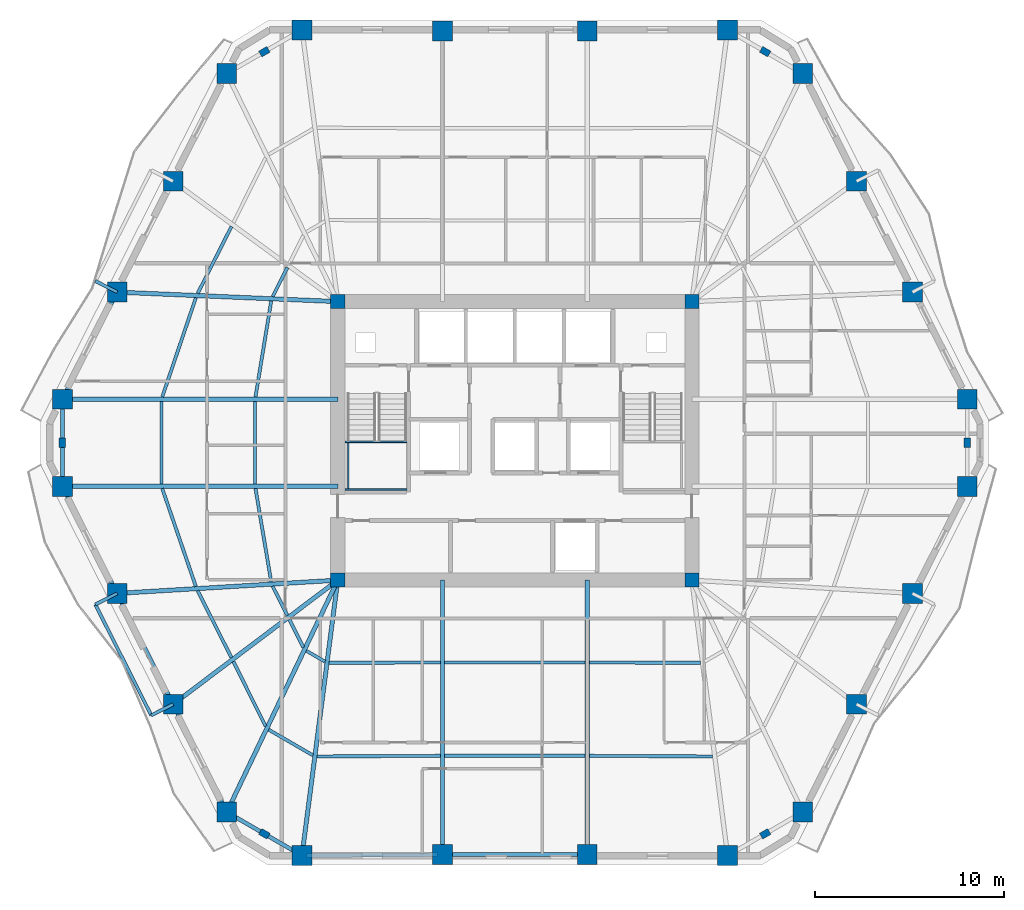
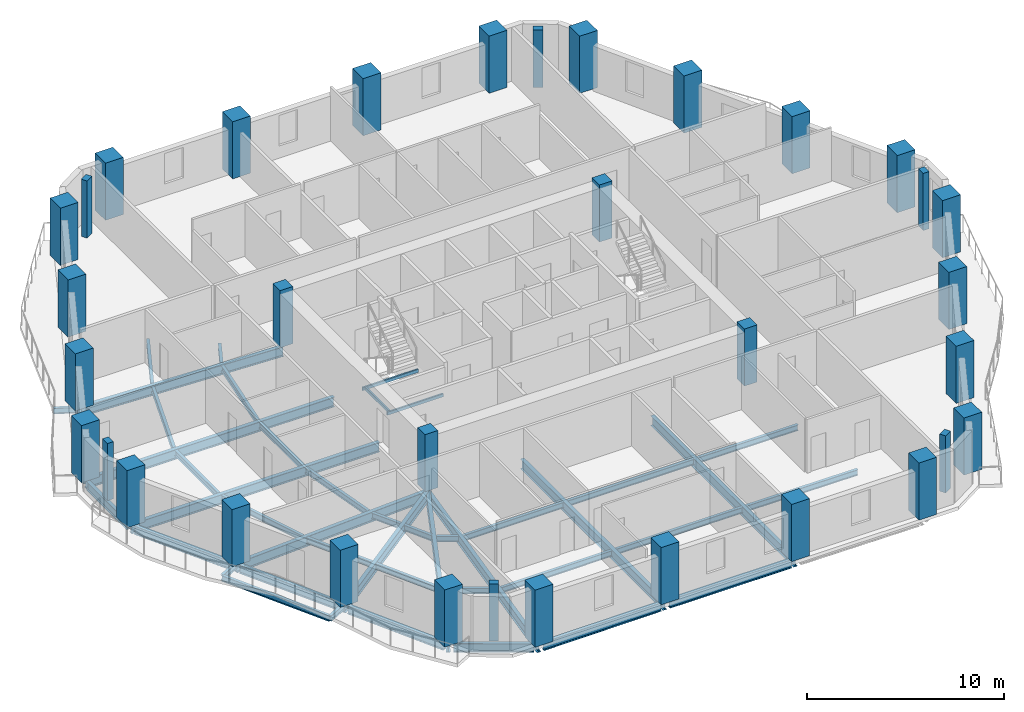
# One storey, part 1 of 11: 44 beams, 34 columns.
"""IFC4 building model written with IfcOpenShell, lengths in metres."""

from ifc_helpers import new_model, si_unit, direction, frame, origin, origin_2d, place, context, subcontext, project, spatial, rectangle, hollow_rectangle, i_section, extrude, material, material_profile, profile_set, type_object, element, save


model = new_model("IFC4")

# Units and contexts
model_context = context("Model", 3, precision=1e-05, world=origin(), true_north=direction((0.0, 1.0)))
body_context = subcontext(model_context, "Body", "Model", "MODEL_VIEW")
ifc_project = project(units=[si_unit("LENGTHUNIT", "METRE"), si_unit("AREAUNIT", "SQUARE_METRE"), si_unit("VOLUMEUNIT", "CUBIC_METRE"), si_unit("PLANEANGLEUNIT", "RADIAN"), si_unit("MASSUNIT", "GRAM", prefix="KILO")], contexts=[model_context])

# Site, building, storey
site_placement = place(None, origin())
site = spatial("IfcSite", under=ifc_project, at=site_placement, CompositionType="ELEMENT")
building_placement = place(site_placement, origin())
building = spatial("IfcBuilding", under=site, at=building_placement, Name="Cinnabar Lancet Tower", CompositionType="ELEMENT")
storey_placement = place(building_placement, frame((0.0, 0.0, 105.5)))
storey = spatial("IfcBuildingStorey", under=building, at=storey_placement, Name="L27", CompositionType="ELEMENT", Elevation=105.5)

# Columns
ifc_material_1 = material(Name="Concrete C70/85", Category="concrete")
ifc_material_profile_1 = material_profile(ifc_material_1, rectangle(XDim=0.75, YDim=0.75, at=origin_2d()), Name="RC-COL 750x750")
ifc_profile_set_1 = profile_set([ifc_material_profile_1], Name="Concrete C70/85")
column_type_1 = type_object("IfcColumnType", Name="STR-COL-CORE-750", PredefinedType="COLUMN", material=ifc_profile_set_1)
for number, where, z_axis, x_axis, name in (
    (1, (23.02490234375, 18.52490234375, 0.0), (0.0, 0.0, 1.0), (1.0, 0.0, 0.0), "L27 Core Corner Column SW"),
    (2, (41.77490234375, 18.52490234375, 0.0), (0.0, 0.0, 1.0), (1.0, 0.0, 0.0), "L27 Core Corner Column SE"),
    (3, (41.77490234375, 33.27490234375, 0.0), (0.0, 0.0, 1.0), (1.0, 0.0, 0.0), "L27 Core Corner Column NE"),
    (4, (23.02490234375, 33.27490234375, 0.0), (0.0, 0.0, 1.0), (1.0, 0.0, 0.0), "L27 Core Corner Column NW"),
):
    element("IfcColumn", number, at=place(storey_placement, frame(where, z_axis=z_axis, x_axis=x_axis)), inside=storey, type_object=column_type_1, Name=name, PredefinedType="COLUMN", context=body_context, shape_type="SweptSolid", body=[
        extrude(rectangle(XDim=0.75, YDim=0.75, at=origin_2d()), origin(), (0.0, 0.0, 1.0), 3.550048828125),
    ])
ifc_material_2 = material(Name="Concrete C60/75", Category="concrete")
ifc_material_profile_2 = material_profile(ifc_material_2, rectangle(XDim=0.5, YDim=0.35009765625, at=origin_2d()), Name="RC-PIL 500x350")
ifc_profile_set_2 = profile_set([ifc_material_profile_2], Name="Concrete C60/75")
column_type_2 = type_object("IfcColumnType", Name="STR-COL-PIL-500", PredefinedType="PILASTER", material=ifc_profile_set_2)
for number, where, z_axis, x_axis, name in (
    (5, (19.14111328125, 5.093017578125, 0.0), (0.0, 0.0, 1.0), (0.865160173452, -0.501495637342, 0.0), "L27 Chamfered Corner Pilaster 1"),
    (6, (45.658935546875, 5.093017578125, 0.0), (0.0, 0.0, 1.0), (0.865160173452, 0.501495637342, 0.0), "L27 Chamfered Corner Pilaster 2"),
    (7, (56.35693359375, 25.800048828125, 0.0), (0.0, 0.0, 1.0), (0.0, 1.0, 0.0), "L27 Chamfered Corner Pilaster 3"),
    (8, (45.658935546875, 46.508056640625, 0.0), (0.0, 0.0, 1.0), (-0.865160173452, 0.501495637342, 0.0), "L27 Chamfered Corner Pilaster 4"),
    (9, (19.14111328125, 46.508056640625, 0.0), (0.0, 0.0, 1.0), (-0.865160173452, -0.501495637342, 0.0), "L27 Chamfered Corner Pilaster 5"),
    (10, (8.443115234375, 25.800048828125, 0.0), (0.0, 0.0, 1.0), (0.0, -1.0, 0.0), "L27 Chamfered Corner Pilaster 6"),
):
    element("IfcColumn", number, at=place(storey_placement, frame(where, z_axis=z_axis, x_axis=x_axis)), inside=storey, type_object=column_type_2, Name=name, PredefinedType="PILASTER", context=body_context, shape_type="SweptSolid", body=[
        extrude(rectangle(XDim=0.5, YDim=0.35009765625, at=origin_2d()), origin(), (0.0, 0.0, 1.0), 3.550048828125),
    ])
ifc_material_3 = material(Name="Concrete C70/85", Category="concrete")
ifc_material_profile_3 = material_profile(ifc_material_3, rectangle(XDim=1.050048828125, YDim=1.050048828125, at=origin_2d()), Name="RC-COL 1050x1050")
ifc_profile_set_3 = profile_set([ifc_material_profile_3], Name="Concrete C70/85")
column_type_3 = type_object("IfcColumnType", Name="STR-COL-TUBE-1050", PredefinedType="COLUMN", material=ifc_profile_set_3)
for number, where, z_axis, x_axis, name in (
    (11, (21.131103515625, 3.93896484375, 0.0), (0.0, 0.0, 1.0), (1.0, 0.0, 0.0), "L27 Perimeter Tube Column 1"),
    (12, (28.568115234375, 3.991943359375, 0.0), (0.0, 0.0, 1.0), (1.0, 0.0, 0.0), "L27 Perimeter Tube Column 2"),
    (13, (36.23193359375, 3.991943359375, 0.0), (0.0, 0.0, 1.0), (1.0, 0.0, 0.0), "L27 Perimeter Tube Column 3"),
    (14, (43.6689453125, 3.93896484375, 0.0), (0.0, 0.0, 1.0), (1.0, 0.0, 0.0), "L27 Perimeter Tube Column 4"),
    (15, (47.64892578125, 6.24609375, 0.0), (0.0, 0.0, 1.0), (1.0, 0.0, 0.0), "L27 Perimeter Tube Column 5"),
    (16, (50.489013671875, 11.955078125, 0.0), (0.0, 0.0, 1.0), (1.0, 0.0, 0.0), "L27 Perimeter Tube Column 6"),
    (17, (53.451904296875, 17.823974609375, 0.0), (0.0, 0.0, 1.0), (1.0, 0.0, 0.0), "L27 Perimeter Tube Column 7"),
    (18, (56.35693359375, 23.490966796875, 0.0), (0.0, 0.0, 1.0), (1.0, 0.0, 0.0), "L27 Perimeter Tube Column 8"),
    (19, (56.35693359375, 28.10888671875, 0.0), (0.0, 0.0, 1.0), (1.0, 0.0, 0.0), "L27 Perimeter Tube Column 9"),
    (20, (53.451904296875, 33.77587890625, 0.0), (0.0, 0.0, 1.0), (1.0, 0.0, 0.0), "L27 Perimeter Tube Column 10"),
    (21, (50.489013671875, 39.64501953125, 0.0), (0.0, 0.0, 1.0), (1.0, 0.0, 0.0), "L27 Perimeter Tube Column 11"),
    (22, (47.64892578125, 45.35400390625, 0.0), (0.0, 0.0, 1.0), (1.0, 0.0, 0.0), "L27 Perimeter Tube Column 12"),
    (23, (43.6689453125, 47.660888671875, 0.0), (0.0, 0.0, 1.0), (1.0, 0.0, 0.0), "L27 Perimeter Tube Column 13"),
    (24, (36.23193359375, 47.60791015625, 0.0), (0.0, 0.0, 1.0), (1.0, 0.0, 0.0), "L27 Perimeter Tube Column 14"),
    (25, (28.568115234375, 47.60791015625, 0.0), (0.0, 0.0, 1.0), (1.0, 0.0, 0.0), "L27 Perimeter Tube Column 15"),
    (26, (21.131103515625, 47.660888671875, 0.0), (0.0, 0.0, 1.0), (1.0, 0.0, 0.0), "L27 Perimeter Tube Column 16"),
    (27, (17.15087890625, 45.35400390625, 0.0), (0.0, 0.0, 1.0), (1.0, 0.0, 0.0), "L27 Perimeter Tube Column 17"),
    (28, (14.31103515625, 39.64501953125, 0.0), (0.0, 0.0, 1.0), (1.0, 0.0, 0.0), "L27 Perimeter Tube Column 18"),
    (29, (11.347900390625, 33.77587890625, 0.0), (0.0, 0.0, 1.0), (1.0, 0.0, 0.0), "L27 Perimeter Tube Column 19"),
    (30, (8.443115234375, 28.10888671875, 0.0), (0.0, 0.0, 1.0), (1.0, 0.0, 0.0), "L27 Perimeter Tube Column 20"),
    (31, (8.443115234375, 23.490966796875, 0.0), (0.0, 0.0, 1.0), (1.0, 0.0, 0.0), "L27 Perimeter Tube Column 21"),
    (32, (11.347900390625, 17.823974609375, 0.0), (0.0, 0.0, 1.0), (1.0, 0.0, 0.0), "L27 Perimeter Tube Column 22"),
    (33, (14.31103515625, 11.955078125, 0.0), (0.0, 0.0, 1.0), (1.0, 0.0, 0.0), "L27 Perimeter Tube Column 23"),
    (34, (17.15087890625, 6.24609375, 0.0), (0.0, 0.0, 1.0), (1.0, 0.0, 0.0), "L27 Perimeter Tube Column 24"),
):
    element("IfcColumn", number, at=place(storey_placement, frame(where, z_axis=z_axis, x_axis=x_axis)), inside=storey, type_object=column_type_3, Name=name, PredefinedType="COLUMN", context=body_context, shape_type="SweptSolid", body=[
        extrude(rectangle(XDim=1.050048828125, YDim=1.050048828125, at=origin_2d()), origin(), (0.0, 0.0, 1.0), 3.550048828125),
    ])

# Beams
ifc_material_4 = material(Name="Structural steel S355", Category="steel")
ifc_material_profile_4 = material_profile(ifc_material_4, i_section(OverallWidth=0.17138671875, OverallDepth=0.35498046875, WebThickness=0.00732421875, FlangeThickness=0.011474609375, FilletRadius=0.01025390625, at=origin_2d()), Name="UKB 356x171x51")
ifc_profile_set_4 = profile_set([ifc_material_profile_4], Name="Structural steel S355")
beam_type_1 = type_object("IfcBeamType", Name="STR-BM-JST-356", PredefinedType="JOIST", material=ifc_profile_set_4)
beam_1_placement = place(storey_placement, frame((13.73193359375, 23.376953125, -0.386962890625), z_axis=(0.324639458548, -0.945837841257, 0.0), x_axis=(0.945837841257, 0.324639458548, 0.0)))
element("IfcBeam", 35, at=beam_1_placement, inside=storey, type_object=beam_type_1, Name="L27 Secondary Floor Joist 1", PredefinedType="JOIST", context=body_context, shape_type="SweptSolid", body=[
    extrude(i_section(OverallWidth=0.17138671875, OverallDepth=0.35498046875, WebThickness=0.00732421875, FlangeThickness=0.011474609375, FilletRadius=0.01025390625, at=origin_2d()), origin(), (0.0, 0.0, 1.0), 5.486083984375),
])
beam_2_placement = place(storey_placement, frame((18.669921875, 23.376953125, -0.386962890625), z_axis=(0.165984412241, -0.986128376477, 0.0), x_axis=(0.986128376477, 0.165984412241, 0.0)))
element("IfcBeam", 36, at=beam_2_placement, inside=storey, type_object=beam_type_1, Name="L27 Secondary Floor Joist 2", PredefinedType="JOIST", context=body_context, shape_type="SweptSolid", body=[
    extrude(i_section(OverallWidth=0.17138671875, OverallDepth=0.35498046875, WebThickness=0.00732421875, FlangeThickness=0.011474609375, FilletRadius=0.01025390625, at=origin_2d()), origin(), (0.0, 0.0, 1.0), 5.0185546875),
])
beam_3_placement = place(storey_placement, frame((15.60791015625, 17.965087890625, -0.386962890625), z_axis=(0.450755070916, -0.892647671841, 0.0), x_axis=(0.892647671841, 0.450755070916, 0.0)))
element("IfcBeam", 37, at=beam_3_placement, inside=storey, type_object=beam_type_1, Name="L27 Secondary Floor Joist 3", PredefinedType="JOIST", context=body_context, shape_type="SweptSolid", body=[
    extrude(i_section(OverallWidth=0.17138671875, OverallDepth=0.35498046875, WebThickness=0.00732421875, FlangeThickness=0.011474609375, FilletRadius=0.01025390625, at=origin_2d()), origin(), (0.0, 0.0, 1.0), 3.966796875),
])
beam_4_placement = place(storey_placement, frame((19.577880859375, 18.2041015625, -0.386962890625), z_axis=(0.450874341268, -0.892587434589, 0.0), x_axis=(0.892587434589, 0.450874341268, 0.0)))
element("IfcBeam", 38, at=beam_4_placement, inside=storey, type_object=beam_type_1, Name="L27 Secondary Floor Joist 4", PredefinedType="JOIST", context=body_context, shape_type="SweptSolid", body=[
    extrude(i_section(OverallWidth=0.17138671875, OverallDepth=0.35498046875, WebThickness=0.00732421875, FlangeThickness=0.011474609375, FilletRadius=0.01025390625, at=origin_2d()), origin(), (0.0, 0.0, 1.0), 1.732177734375),
])
beam_5_placement = place(storey_placement, frame((17.5, 14.216064453125, -0.386962890625), z_axis=(0.445295120803, -0.895383859241, 0.0), x_axis=(0.895383859241, 0.445295120803, 0.0)))
element("IfcBeam", 39, at=beam_5_placement, inside=storey, type_object=beam_type_1, Name="L27 Secondary Floor Joist 5", PredefinedType="JOIST", context=body_context, shape_type="SweptSolid", body=[
    extrude(i_section(OverallWidth=0.17138671875, OverallDepth=0.35498046875, WebThickness=0.00732421875, FlangeThickness=0.011474609375, FilletRadius=0.01025390625, at=origin_2d()), origin(), (0.0, 0.0, 1.0), 3.81982421875),
])
beam_6_placement = place(storey_placement, frame((20.4619140625, 16.449951171875, -0.386962890625), z_axis=(0.445557690111, -0.895253229418, 0.0), x_axis=(0.895253229418, 0.445557690111, 0.0)))
element("IfcBeam", 40, at=beam_6_placement, inside=storey, type_object=beam_type_1, Name="L27 Secondary Floor Joist 6", PredefinedType="JOIST", context=body_context, shape_type="SweptSolid", body=[
    extrude(i_section(OverallWidth=0.17138671875, OverallDepth=0.35498046875, WebThickness=0.00732421875, FlangeThickness=0.011474609375, FilletRadius=0.01025390625, at=origin_2d()), origin(), (0.0, 0.0, 1.0), 1.652099609375),
])
beam_7_placement = place(storey_placement, frame((19.364990234375, 10.60888671875, -0.386962890625), z_axis=(0.865172906898, -0.501473669469, 0.0), x_axis=(0.501473669469, 0.865172906898, 0.0)))
element("IfcBeam", 41, at=beam_7_placement, inside=storey, type_object=beam_type_1, Name="L27 Secondary Floor Joist 7", PredefinedType="JOIST", context=body_context, shape_type="SweptSolid", body=[
    extrude(i_section(OverallWidth=0.17138671875, OverallDepth=0.35498046875, WebThickness=0.00732421875, FlangeThickness=0.011474609375, FilletRadius=0.01025390625, at=origin_2d()), origin(), (0.0, 0.0, 1.0), 2.705810546875),
])
beam_8_placement = place(storey_placement, frame((21.362060546875, 14.783935546875, -0.386962890625), z_axis=(0.865055308165, -0.501676503154, 0.0), x_axis=(0.501676503154, 0.865055308165, 0.0)))
element("IfcBeam", 42, at=beam_8_placement, inside=storey, type_object=beam_type_1, Name="L27 Secondary Floor Joist 8", PredefinedType="JOIST", context=body_context, shape_type="SweptSolid", body=[
    extrude(i_section(OverallWidth=0.17138671875, OverallDepth=0.35498046875, WebThickness=0.00732421875, FlangeThickness=0.011474609375, FilletRadius=0.01025390625, at=origin_2d()), origin(), (0.0, 0.0, 1.0), 1.14208984375),
])
beam_9_placement = place(storey_placement, frame((21.927978515625, 9.19091796875, -0.386962890625), z_axis=(0.999987991898, 0.004900618269, 0.0), x_axis=(-0.004900618269, 0.999987991898, 0.0)))
element("IfcBeam", 43, at=beam_9_placement, inside=storey, type_object=beam_type_1, Name="L27 Secondary Floor Joist 9", PredefinedType="JOIST", context=body_context, shape_type="SweptSolid", body=[
    extrude(i_section(OverallWidth=0.17138671875, OverallDepth=0.35498046875, WebThickness=0.00732421875, FlangeThickness=0.011474609375, FilletRadius=0.01025390625, at=origin_2d()), origin(), (0.0, 0.0, 1.0), 6.526123046875),
])
beam_10_placement = place(storey_placement, frame((22.572021484375, 14.14892578125, -0.386962890625), z_axis=(0.999996247906, 0.002739374605, 0.0), x_axis=(-0.002739374605, 0.999996247906, 0.0)))
element("IfcBeam", 44, at=beam_10_placement, inside=storey, type_object=beam_type_1, Name="L27 Secondary Floor Joist 10", PredefinedType="JOIST", context=body_context, shape_type="SweptSolid", body=[
    extrude(i_section(OverallWidth=0.17138671875, OverallDepth=0.35498046875, WebThickness=0.00732421875, FlangeThickness=0.011474609375, FilletRadius=0.01025390625, at=origin_2d()), origin(), (0.0, 0.0, 1.0), 5.882080078125),
])
for number, where, z_axis, x_axis, name in (
    (45, (28.681884765625, 9.22412109375, -0.386962890625), (1.0, 0.0, 0.0), (0.0, 1.0, 0.0), "L27 Secondary Floor Joist 11"),
    (46, (28.681884765625, 14.1650390625, -0.386962890625), (1.0, 0.0, 0.0), (0.0, 1.0, 0.0), "L27 Secondary Floor Joist 12"),
):
    element("IfcBeam", number, at=place(storey_placement, frame(where, z_axis=z_axis, x_axis=x_axis)), inside=storey, type_object=beam_type_1, Name=name, PredefinedType="JOIST", context=body_context, shape_type="SweptSolid", body=[
        extrude(i_section(OverallWidth=0.17138671875, OverallDepth=0.35498046875, WebThickness=0.00732421875, FlangeThickness=0.011474609375, FilletRadius=0.01025390625, at=origin_2d()), origin(), (0.0, 0.0, 1.0), 7.43603515625),
    ])
beam_11_placement = place(storey_placement, frame((36.345947265625, 9.222900390625, -0.386962890625), z_axis=(0.999987991898, -0.004900618269, 0.0), x_axis=(0.004900618269, 0.999987991898, 0.0)))
element("IfcBeam", 47, at=beam_11_placement, inside=storey, type_object=beam_type_1, Name="L27 Secondary Floor Joist 13", PredefinedType="JOIST", context=body_context, shape_type="SweptSolid", body=[
    extrude(i_section(OverallWidth=0.17138671875, OverallDepth=0.35498046875, WebThickness=0.00732421875, FlangeThickness=0.011474609375, FilletRadius=0.01025390625, at=origin_2d()), origin(), (0.0, 0.0, 1.0), 6.526123046875),
])
beam_12_placement = place(storey_placement, frame((36.345947265625, 14.1650390625, -0.386962890625), z_axis=(0.999996247906, -0.002739374605, 0.0), x_axis=(0.002739374605, 0.999996247906, 0.0)))
element("IfcBeam", 48, at=beam_12_placement, inside=storey, type_object=beam_type_1, Name="L27 Secondary Floor Joist 14", PredefinedType="JOIST", context=body_context, shape_type="SweptSolid", body=[
    extrude(i_section(OverallWidth=0.17138671875, OverallDepth=0.35498046875, WebThickness=0.00732421875, FlangeThickness=0.011474609375, FilletRadius=0.01025390625, at=origin_2d()), origin(), (0.0, 0.0, 1.0), 5.882080078125),
])
beam_13_placement = place(storey_placement, frame((17.39599609375, 37.2490234375, -0.386962890625), z_axis=(-0.450656035687, -0.892697674187, 0.0), x_axis=(0.892697674187, -0.450656035687, 0.0)))
element("IfcBeam", 49, at=beam_13_placement, inside=storey, type_object=beam_type_1, Name="L27 Secondary Floor Joist 43", PredefinedType="JOIST", context=body_context, shape_type="SweptSolid", body=[
    extrude(i_section(OverallWidth=0.17138671875, OverallDepth=0.35498046875, WebThickness=0.00732421875, FlangeThickness=0.011474609375, FilletRadius=0.01025390625, at=origin_2d()), origin(), (0.0, 0.0, 1.0), 3.9677734375),
])
beam_14_placement = place(storey_placement, frame((20.35888671875, 35.0830078125, -0.386962890625), z_axis=(-0.450931068976, -0.892558777354, 0.0), x_axis=(0.892558777354, -0.450931068976, 0.0)))
element("IfcBeam", 50, at=beam_14_placement, inside=storey, type_object=beam_type_1, Name="L27 Secondary Floor Joist 44", PredefinedType="JOIST", context=body_context, shape_type="SweptSolid", body=[
    extrude(i_section(OverallWidth=0.17138671875, OverallDepth=0.35498046875, WebThickness=0.00732421875, FlangeThickness=0.011474609375, FilletRadius=0.01025390625, at=origin_2d()), origin(), (0.0, 0.0, 1.0), 1.73193359375),
])
beam_15_placement = place(storey_placement, frame((15.513916015625, 33.48291015625, -0.386962890625), z_axis=(-0.321023911172, -0.947071089442, 0.0), x_axis=(0.947071089442, -0.321023911172, 0.0)))
element("IfcBeam", 51, at=beam_15_placement, inside=storey, type_object=beam_type_1, Name="L27 Secondary Floor Joist 45", PredefinedType="JOIST", context=body_context, shape_type="SweptSolid", body=[
    extrude(i_section(OverallWidth=0.17138671875, OverallDepth=0.35498046875, WebThickness=0.00732421875, FlangeThickness=0.011474609375, FilletRadius=0.01025390625, at=origin_2d()), origin(), (0.0, 0.0, 1.0), 5.553955078125),
])
beam_16_placement = place(storey_placement, frame((19.5029296875, 33.31201171875, -0.386962890625), z_axis=(-0.161719098977, -0.986836832017, 0.0), x_axis=(0.986836832017, -0.161719098977, 0.0)))
element("IfcBeam", 52, at=beam_16_placement, inside=storey, type_object=beam_type_1, Name="L27 Secondary Floor Joist 46", PredefinedType="JOIST", context=body_context, shape_type="SweptSolid", body=[
    extrude(i_section(OverallWidth=0.17138671875, OverallDepth=0.35498046875, WebThickness=0.00732421875, FlangeThickness=0.011474609375, FilletRadius=0.01025390625, at=origin_2d()), origin(), (0.0, 0.0, 1.0), 5.156982421875),
])
for number, where, z_axis, x_axis, name in (
    (53, (13.693115234375, 27.9951171875, -0.386962890625), (0.0, -1.0, 0.0), (1.0, 0.0, 0.0), "L27 Secondary Floor Joist 47"),
    (54, (18.64990234375, 27.9951171875, -0.386962890625), (0.0, -1.0, 0.0), (1.0, 0.0, 0.0), "L27 Secondary Floor Joist 48"),
):
    element("IfcBeam", number, at=place(storey_placement, frame(where, z_axis=z_axis, x_axis=x_axis)), inside=storey, type_object=beam_type_1, Name=name, PredefinedType="JOIST", context=body_context, shape_type="SweptSolid", body=[
        extrude(i_section(OverallWidth=0.17138671875, OverallDepth=0.35498046875, WebThickness=0.00732421875, FlangeThickness=0.011474609375, FilletRadius=0.01025390625, at=origin_2d()), origin(), (0.0, 0.0, 1.0), 4.39013671875),
    ])
ifc_material_5 = material(Name="Structural steel S355", Category="steel")
ifc_material_profile_5 = material_profile(ifc_material_5, hollow_rectangle(XDim=0.10009765625, YDim=0.199951171875, WallThickness=0.008056640625, InnerFilletRadius=0.00390625, OuterFilletRadius=0.011962890625, at=origin_2d()), Name="RHS 200x100x8")
ifc_profile_set_5 = profile_set([ifc_material_profile_5], Name="Structural steel S355")
beam_type_2 = type_object("IfcBeamType", Name="STR-BM-LND-203", PredefinedType="BEAM", material=ifc_profile_set_5)
for number, where, z_axis, x_axis, name in (
    (55, (23.39990234375, 23.330078125, 1.47509765625), (1.0, 0.0, 0.0), (0.0, 1.0, 0.0), "L27 ST-1-L27 Landing Support Beam S"),
    (56, (23.39990234375, 25.844970703125, 1.47509765625), (1.0, 0.0, 0.0), (0.0, 1.0, 0.0), "L27 ST-1-L27 Landing Support Beam N"),
):
    element("IfcBeam", number, at=place(storey_placement, frame(where, z_axis=z_axis, x_axis=x_axis)), inside=storey, type_object=beam_type_2, Name=name, PredefinedType="BEAM", context=body_context, shape_type="SweptSolid", body=[
        extrude(hollow_rectangle(XDim=0.10009765625, YDim=0.199951171875, WallThickness=0.008056640625, InnerFilletRadius=0.00390625, OuterFilletRadius=0.011962890625, at=origin_2d()), origin(), (0.0, 0.0, 1.0), 3.280029296875),
    ])
beam_17_placement = place(storey_placement, frame((23.580078125, 23.3798828125, 1.47509765625), z_axis=(0.0, 1.0, 0.0), x_axis=(-1.0, 0.0, 0.0)))
element("IfcBeam", 57, at=beam_17_placement, inside=storey, type_object=beam_type_2, Name="L27 ST-1-L27 Landing Side Trimmer Beam", PredefinedType="BEAM", context=body_context, shape_type="SweptSolid", body=[
    extrude(hollow_rectangle(XDim=0.10009765625, YDim=0.199951171875, WallThickness=0.008056640625, InnerFilletRadius=0.00390625, OuterFilletRadius=0.011962890625, at=origin_2d()), origin(), (0.0, 0.0, 1.0), 2.4150390625),
])
ifc_material_6 = material(Name="Structural steel S355", Category="steel")
ifc_material_profile_6 = material_profile(ifc_material_6, i_section(OverallWidth=0.209228515625, OverallDepth=0.533203125, WebThickness=0.010009765625, FlangeThickness=0.015625, FilletRadius=0.0126953125, at=origin_2d()), Name="UKB 533x210x92")
ifc_profile_set_6 = profile_set([ifc_material_profile_6], Name="Structural steel S355")
beam_type_3 = type_object("IfcBeamType", Name="STR-BM-SPN-533", PredefinedType="SPANDREL", material=ifc_profile_set_6)
beam_18_placement = place(storey_placement, frame((21.381103515625, 3.94091796875, -0.47705078125), z_axis=(0.999974980359, 0.007073800628, 0.0), x_axis=(-0.007073800628, 0.999974980359, 0.0)))
element("IfcBeam", 58, at=beam_18_placement, inside=storey, type_object=beam_type_3, Name="L27 Perimeter Spandrel 1", PredefinedType="SPANDREL", context=body_context, shape_type="SweptSolid", body=[
    extrude(i_section(OverallWidth=0.209228515625, OverallDepth=0.533203125, WebThickness=0.010009765625, FlangeThickness=0.015625, FilletRadius=0.0126953125, at=origin_2d()), origin(), (0.0, 0.0, 1.0), 6.937255859375),
])
beam_19_placement = place(storey_placement, frame((28.818115234375, 3.991943359375, -0.47705078125), z_axis=(1.0, 0.0, 0.0), x_axis=(0.0, 1.0, 0.0)))
element("IfcBeam", 59, at=beam_19_placement, inside=storey, type_object=beam_type_3, Name="L27 Perimeter Spandrel 2", PredefinedType="SPANDREL", context=body_context, shape_type="SweptSolid", body=[
    extrude(i_section(OverallWidth=0.209228515625, OverallDepth=0.533203125, WebThickness=0.010009765625, FlangeThickness=0.015625, FilletRadius=0.0126953125, at=origin_2d()), origin(), (0.0, 0.0, 1.0), 7.163818359375),
])
beam_20_placement = place(storey_placement, frame((11.23388671875, 33.553955078125, -0.47705078125), z_axis=(-0.456126618405, -0.889914888055, 0.0), x_axis=(0.889914888055, -0.456126618405, 0.0)))
element("IfcBeam", 60, at=beam_20_placement, inside=storey, type_object=beam_type_3, Name="L27 Perimeter Spandrel 19", PredefinedType="SPANDREL", context=body_context, shape_type="SweptSolid", body=[
    extrude(i_section(OverallWidth=0.209228515625, OverallDepth=0.533203125, WebThickness=0.010009765625, FlangeThickness=0.015625, FilletRadius=0.0126953125, at=origin_2d()), origin(), (0.0, 0.0, 1.0), 5.868896484375),
])
beam_21_placement = place(storey_placement, frame((8.443115234375, 27.85888671875, -0.47705078125), z_axis=(0.0, -1.0, 0.0), x_axis=(1.0, 0.0, 0.0)))
element("IfcBeam", 61, at=beam_21_placement, inside=storey, type_object=beam_type_3, Name="L27 Perimeter Spandrel 20", PredefinedType="SPANDREL", context=body_context, shape_type="SweptSolid", body=[
    extrude(i_section(OverallWidth=0.209228515625, OverallDepth=0.533203125, WebThickness=0.010009765625, FlangeThickness=0.015625, FilletRadius=0.0126953125, at=origin_2d()), origin(), (0.0, 0.0, 1.0), 4.117919921875),
])
beam_22_placement = place(storey_placement, frame((8.556884765625, 23.26904296875, -0.47705078125), z_axis=(0.456109733574, -0.889923542187, 0.0), x_axis=(0.889923542187, 0.456109733574, 0.0)))
element("IfcBeam", 62, at=beam_22_placement, inside=storey, type_object=beam_type_3, Name="L27 Perimeter Spandrel 21", PredefinedType="SPANDREL", context=body_context, shape_type="SweptSolid", body=[
    extrude(i_section(OverallWidth=0.209228515625, OverallDepth=0.533203125, WebThickness=0.010009765625, FlangeThickness=0.015625, FilletRadius=0.0126953125, at=origin_2d()), origin(), (0.0, 0.0, 1.0), 5.869140625),
])
beam_23_placement = place(storey_placement, frame((11.4609375, 17.60107421875, -0.47705078125), z_axis=(0.450570325924, -0.892740937449, 0.0), x_axis=(0.892740937449, 0.450570325924, 0.0)))
element("IfcBeam", 63, at=beam_23_placement, inside=storey, type_object=beam_type_3, Name="L27 Perimeter Spandrel 22", PredefinedType="SPANDREL", context=body_context, shape_type="SweptSolid", body=[
    extrude(i_section(OverallWidth=0.209228515625, OverallDepth=0.533203125, WebThickness=0.010009765625, FlangeThickness=0.015625, FilletRadius=0.0126953125, at=origin_2d()), origin(), (0.0, 0.0, 1.0), 6.07470703125),
])
beam_24_placement = place(storey_placement, frame((14.422119140625, 11.73095703125, -0.47705078125), z_axis=(0.445501068635, -0.89528140707, 0.0), x_axis=(0.89528140707, 0.445501068635, 0.0)))
element("IfcBeam", 64, at=beam_24_placement, inside=storey, type_object=beam_type_3, Name="L27 Perimeter Spandrel 23", PredefinedType="SPANDREL", context=body_context, shape_type="SweptSolid", body=[
    extrude(i_section(OverallWidth=0.209228515625, OverallDepth=0.533203125, WebThickness=0.010009765625, FlangeThickness=0.015625, FilletRadius=0.0126953125, at=origin_2d()), origin(), (0.0, 0.0, 1.0), 5.87646484375),
])
beam_25_placement = place(storey_placement, frame((17.366943359375, 6.12109375, -0.47705078125), z_axis=(0.865112299906, -0.501578217781, 0.0), x_axis=(0.501578217781, 0.865112299906, 0.0)))
element("IfcBeam", 65, at=beam_25_placement, inside=storey, type_object=beam_type_3, Name="L27 Perimeter Spandrel 24", PredefinedType="SPANDREL", context=body_context, shape_type="SweptSolid", body=[
    extrude(i_section(OverallWidth=0.209228515625, OverallDepth=0.533203125, WebThickness=0.010009765625, FlangeThickness=0.015625, FilletRadius=0.0126953125, at=origin_2d()), origin(), (0.0, 0.0, 1.0), 4.101318359375),
])
ifc_material_7 = material(Name="Structural steel S355", Category="steel")
ifc_material_profile_7 = material_profile(ifc_material_7, i_section(OverallWidth=0.228271484375, OverallDepth=0.607666015625, WebThickness=0.010986328125, FlangeThickness=0.017333984375, FilletRadius=0.0126953125, at=origin_2d()), Name="UKB 610x229x113")
ifc_profile_set_7 = profile_set([ifc_material_profile_7], Name="Structural steel S355")
beam_type_4 = type_object("IfcBeamType", Name="STR-BM-UKB610-113", PredefinedType="BEAM", material=ifc_profile_set_7)
beam_26_placement = place(storey_placement, frame((14.31103515625, 11.955078125, -0.513916015625), z_axis=(0.798483350078, 0.602016893158, 0.0), x_axis=(-0.602016893158, 0.798483350078, 0.0)))
element("IfcBeam", 66, at=beam_26_placement, inside=storey, type_object=beam_type_4, Name="L27 Corner Collector Girder 1", PredefinedType="BEAM", context=body_context, shape_type="SweptSolid", body=[
    extrude(i_section(OverallWidth=0.228271484375, OverallDepth=0.607666015625, WebThickness=0.010986328125, FlangeThickness=0.017333984375, FilletRadius=0.0126953125, at=origin_2d()), origin(), (0.0, 0.0, 1.0), 10.9130859375),
])
beam_27_placement = place(storey_placement, frame((21.131103515625, 3.93896484375, -0.513916015625), z_axis=(0.128756570002, 0.991676230269, 0.0), x_axis=(-0.991676230269, 0.128756570002, 0.0)))
element("IfcBeam", 67, at=beam_27_placement, inside=storey, type_object=beam_type_4, Name="L27 Primary Floor Girder 1", PredefinedType="BEAM", context=body_context, shape_type="SweptSolid", body=[
    extrude(i_section(OverallWidth=0.228271484375, OverallDepth=0.607666015625, WebThickness=0.010986328125, FlangeThickness=0.017333984375, FilletRadius=0.0126953125, at=origin_2d()), origin(), (0.0, 0.0, 1.0), 14.708251953125),
])
for number, where, z_axis, x_axis, name in (
    (68, (28.568115234375, 3.991943359375, -0.513916015625), (0.0, 1.0, 0.0), (-1.0, 0.0, 0.0), "L27 Primary Floor Girder 2"),
    (69, (36.23193359375, 3.991943359375, -0.513916015625), (0.0, 1.0, 0.0), (-1.0, 0.0, 0.0), "L27 Primary Floor Girder 3"),
):
    element("IfcBeam", number, at=place(storey_placement, frame(where, z_axis=z_axis, x_axis=x_axis)), inside=storey, type_object=beam_type_4, Name=name, PredefinedType="BEAM", context=body_context, shape_type="SweptSolid", body=[
        extrude(i_section(OverallWidth=0.228271484375, OverallDepth=0.607666015625, WebThickness=0.010986328125, FlangeThickness=0.017333984375, FilletRadius=0.0126953125, at=origin_2d()), origin(), (0.0, 0.0, 1.0), 14.532958984375),
    ])
beam_28_placement = place(storey_placement, frame((11.347900390625, 33.77587890625, -0.513916015625), z_axis=(0.999080941658, -0.042863411158, 0.0), x_axis=(0.042863411158, 0.999080941658, 0.0)))
element("IfcBeam", 70, at=beam_28_placement, inside=storey, type_object=beam_type_4, Name="L27 Primary Floor Girder 19", PredefinedType="BEAM", context=body_context, shape_type="SweptSolid", body=[
    extrude(i_section(OverallWidth=0.228271484375, OverallDepth=0.607666015625, WebThickness=0.010986328125, FlangeThickness=0.017333984375, FilletRadius=0.0126953125, at=origin_2d()), origin(), (0.0, 0.0, 1.0), 11.687744140625),
])
for number, where, z_axis, x_axis, name in (
    (71, (8.443115234375, 28.10888671875, -0.513916015625), (1.0, 0.0, 0.0), (0.0, 1.0, 0.0), "L27 Primary Floor Girder 20"),
    (72, (8.443115234375, 23.490966796875, -0.513916015625), (1.0, 0.0, 0.0), (0.0, 1.0, 0.0), "L27 Primary Floor Girder 21"),
):
    element("IfcBeam", number, at=place(storey_placement, frame(where, z_axis=z_axis, x_axis=x_axis)), inside=storey, type_object=beam_type_4, Name=name, PredefinedType="BEAM", context=body_context, shape_type="SweptSolid", body=[
        extrude(i_section(OverallWidth=0.228271484375, OverallDepth=0.607666015625, WebThickness=0.010986328125, FlangeThickness=0.017333984375, FilletRadius=0.0126953125, at=origin_2d()), origin(), (0.0, 0.0, 1.0), 14.581787109375),
    ])
beam_29_placement = place(storey_placement, frame((11.347900390625, 17.823974609375, -0.513916015625), z_axis=(0.998203272991, 0.059918492897, 0.0), x_axis=(-0.059918492897, 0.998203272991, 0.0)))
element("IfcBeam", 73, at=beam_29_placement, inside=storey, type_object=beam_type_4, Name="L27 Primary Floor Girder 22", PredefinedType="BEAM", context=body_context, shape_type="SweptSolid", body=[
    extrude(i_section(OverallWidth=0.228271484375, OverallDepth=0.607666015625, WebThickness=0.010986328125, FlangeThickness=0.017333984375, FilletRadius=0.0126953125, at=origin_2d()), origin(), (0.0, 0.0, 1.0), 11.697998046875),
])
beam_30_placement = place(storey_placement, frame((17.15087890625, 6.24609375, -0.513916015625), z_axis=(0.431548156881, 0.902089900339, 0.0), x_axis=(-0.902089900339, 0.431548156881, 0.0)))
element("IfcBeam", 74, at=beam_30_placement, inside=storey, type_object=beam_type_4, Name="L27 Primary Floor Girder 24", PredefinedType="BEAM", context=body_context, shape_type="SweptSolid", body=[
    extrude(i_section(OverallWidth=0.228271484375, OverallDepth=0.607666015625, WebThickness=0.010986328125, FlangeThickness=0.017333984375, FilletRadius=0.0126953125, at=origin_2d()), origin(), (0.0, 0.0, 1.0), 13.611572265625),
])
ifc_material_8 = material(Name="Structural steel S355", Category="steel")
ifc_material_profile_8 = material_profile(ifc_material_8, i_section(OverallWidth=0.17138671875, OverallDepth=0.35498046875, WebThickness=0.00732421875, FlangeThickness=0.011474609375, FilletRadius=0.01025390625, at=origin_2d()), Name="UKB 356x171x51")
ifc_profile_set_8 = profile_set([ifc_material_profile_8], Name="Structural steel S355")
beam_type_5 = type_object("IfcBeamType", Name="STR-BM-WAV-OUT", PredefinedType="BEAM", material=ifc_profile_set_8)
for number, where, z_axis, x_axis, name in (
    (75, (11.347900390625, 33.77587890625, -0.39697265625), (-0.892200264127, 0.451639998995, 0.0), (-0.451639998995, -0.892200264127, 0.0), "L27 Face 5 Balcony Outlooker B"),
    (76, (11.347900390625, 17.823974609375, -0.39697265625), (-0.89227592947, -0.451490493464, 0.0), (0.451490493464, -0.89227592947, 0.0), "L27 Face 6 Balcony Outlooker A"),
):
    element("IfcBeam", number, at=place(storey_placement, frame(where, z_axis=z_axis, x_axis=x_axis)), inside=storey, type_object=beam_type_5, Name=name, PredefinedType="BEAM", context=body_context, shape_type="SweptSolid", body=[
        extrude(i_section(OverallWidth=0.17138671875, OverallDepth=0.35498046875, WebThickness=0.00732421875, FlangeThickness=0.011474609375, FilletRadius=0.01025390625, at=origin_2d()), origin(), (0.0, 0.0, 1.0), 1.300048828125),
    ])
beam_31_placement = place(storey_placement, frame((14.31103515625, 11.955078125, -0.39697265625), z_axis=(-0.892238560088, -0.451564338597, 0.0), x_axis=(0.451564338597, -0.892238560088, 0.0)))
element("IfcBeam", 77, at=beam_31_placement, inside=storey, type_object=beam_type_5, Name="L27 Face 6 Balcony Outlooker B", PredefinedType="BEAM", context=body_context, shape_type="SweptSolid", body=[
    extrude(i_section(OverallWidth=0.17138671875, OverallDepth=0.35498046875, WebThickness=0.00732421875, FlangeThickness=0.011474609375, FilletRadius=0.01025390625, at=origin_2d()), origin(), (0.0, 0.0, 1.0), 1.30029296875),
])
ifc_material_9 = material(Name="Structural steel S355", Category="steel")
ifc_material_profile_9 = material_profile(ifc_material_9, i_section(OverallWidth=0.17138671875, OverallDepth=0.35498046875, WebThickness=0.00732421875, FlangeThickness=0.011474609375, FilletRadius=0.01025390625, at=origin_2d()), Name="UKB 356x171x51")
ifc_profile_set_9 = profile_set([ifc_material_profile_9], Name="Structural steel S355")
beam_type_6 = type_object("IfcBeamType", Name="STR-BM-WAV-TRIM", PredefinedType="SPANDREL", material=ifc_profile_set_9)
beam_32_placement = place(storey_placement, frame((10.18798828125, 17.237060546875, -0.39697265625), z_axis=(0.450656296771, -0.892697542385, 0.0), x_axis=(0.892697542385, 0.450656296771, 0.0)))
element("IfcBeam", 78, at=beam_32_placement, inside=storey, type_object=beam_type_6, Name="L27 Face 6 Balcony Edge Trimmer", PredefinedType="SPANDREL", context=body_context, shape_type="SweptSolid", body=[
    extrude(i_section(OverallWidth=0.17138671875, OverallDepth=0.35498046875, WebThickness=0.00732421875, FlangeThickness=0.011474609375, FilletRadius=0.01025390625, at=origin_2d()), origin(), (0.0, 0.0, 1.0), 6.57470703125),
])

save(model, "model.ifc")
